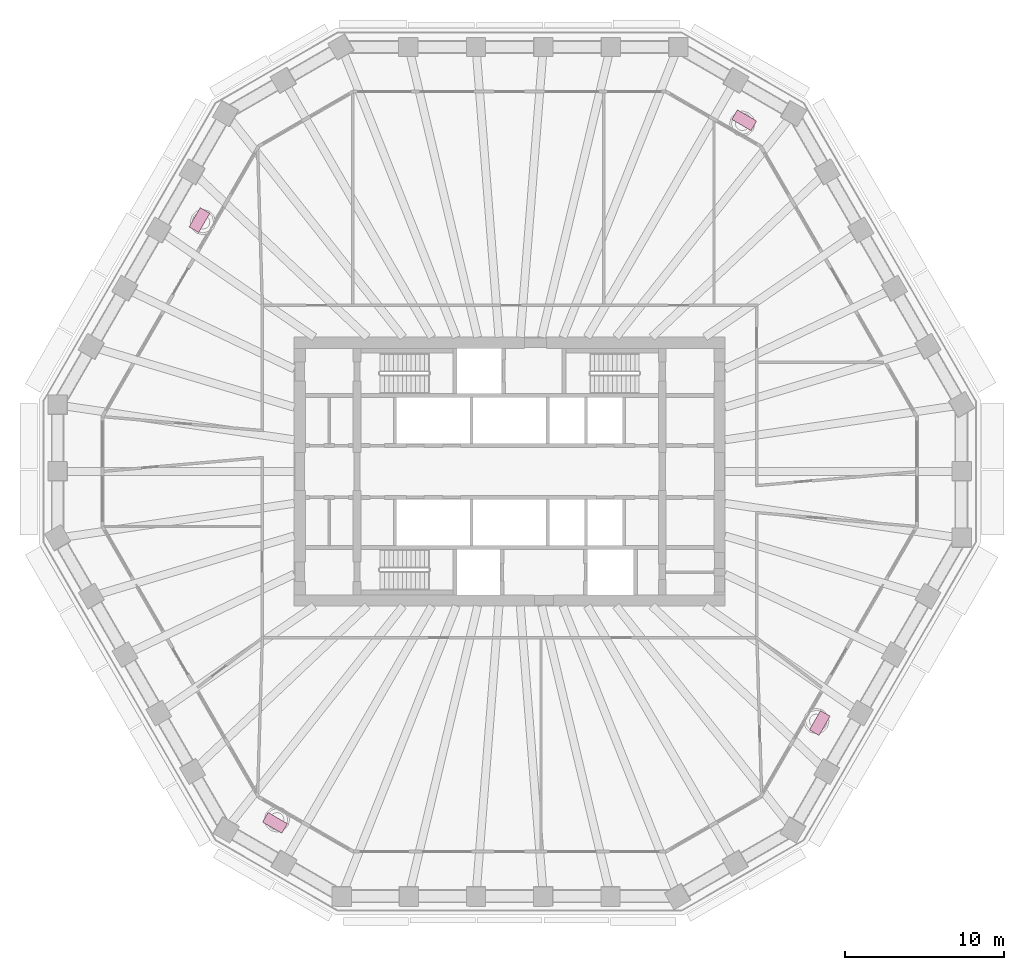
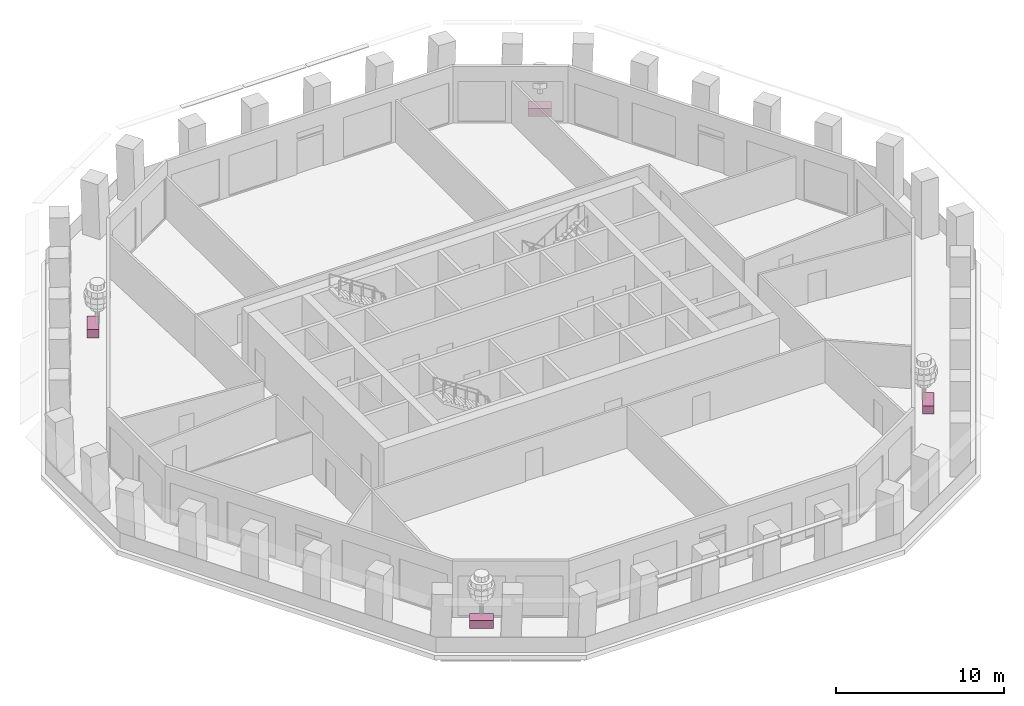
# One storey, part 11 of 12: 4 furniture elements.
"""IFC4 building model written with IfcOpenShell, lengths in metres."""

from ifc_helpers import new_model, si_unit, direction, frame, origin, origin_2d, place, context, subcontext, project, spatial, rectangle, extrude, material, type_object, element, save


model = new_model("IFC4")

# Units and contexts
model_context = context("Model", 3, precision=1e-05, world=origin(), true_north=direction((0.0, 1.0)))
body_context = subcontext(model_context, "Body", "Model", "MODEL_VIEW")
ifc_project = project(units=[si_unit("LENGTHUNIT", "METRE"), si_unit("AREAUNIT", "SQUARE_METRE"), si_unit("VOLUMEUNIT", "CUBIC_METRE"), si_unit("PLANEANGLEUNIT", "RADIAN"), si_unit("MASSUNIT", "GRAM", prefix="KILO")], contexts=[model_context])

# Site, building, storey
site_placement = place(None, origin())
site = spatial("IfcSite", under=ifc_project, at=site_placement, CompositionType="ELEMENT")
building_placement = place(site_placement, origin())
building = spatial("IfcBuilding", under=site, at=building_placement, Name="Frailejon Research Tower", CompositionType="ELEMENT")
storey_placement = place(building_placement, frame((0.0, 0.0, 145.199951171875)))
storey = spatial("IfcBuildingStorey", under=building, at=storey_placement, Name="L31", CompositionType="ELEMENT", Elevation=145.199951171875)

# Furniture
ifc_material = material(Name="Precast concrete C30/37 planter, terracotta", Category="masonry")
furniture_type = type_object("IfcFurnitureType", Name="Loggia planter 1400x700", AssemblyPlace="NOTDEFINED", PredefinedType="USERDEFINED", material=ifc_material)
for number, where, z_axis, x_axis, name in (
    (1, (14.75634765625, 22.0947265625, 0.0), (0.0, 0.0, 1.0), (-0.866025403784, 0.5, 0.0), "Planter L31"),
    (2, (-19.506103515625, 15.814453125, 0.0), (0.0, 0.0, 1.0), (-0.5, -0.866025403784, 0.0), "Planter L31"),
    (3, (-14.75634765625, -22.0947265625, 0.0), (0.0, 0.0, 1.0), (0.866025403784, -0.5, 0.0), "Planter L31"),
    (4, (19.506103515625, -15.814453125, 0.0), (0.0, 0.0, 1.0), (0.5, 0.866025403784, 0.0), "Planter L31"),
):
    element("IfcFurniture", number, at=place(storey_placement, frame(where, z_axis=z_axis, x_axis=x_axis)), inside=storey, type_object=furniture_type, Name=name, ObjectType="PLANTER", PredefinedType="USERDEFINED", context=body_context, shape_type="SweptSolid", body=[
        extrude(rectangle(XDim=1.39990234375, YDim=0.699951171875, at=origin_2d()), origin(), (0.0, 0.0, 1.0), 0.60009765625),
    ])

save(model, "model.ifc")
